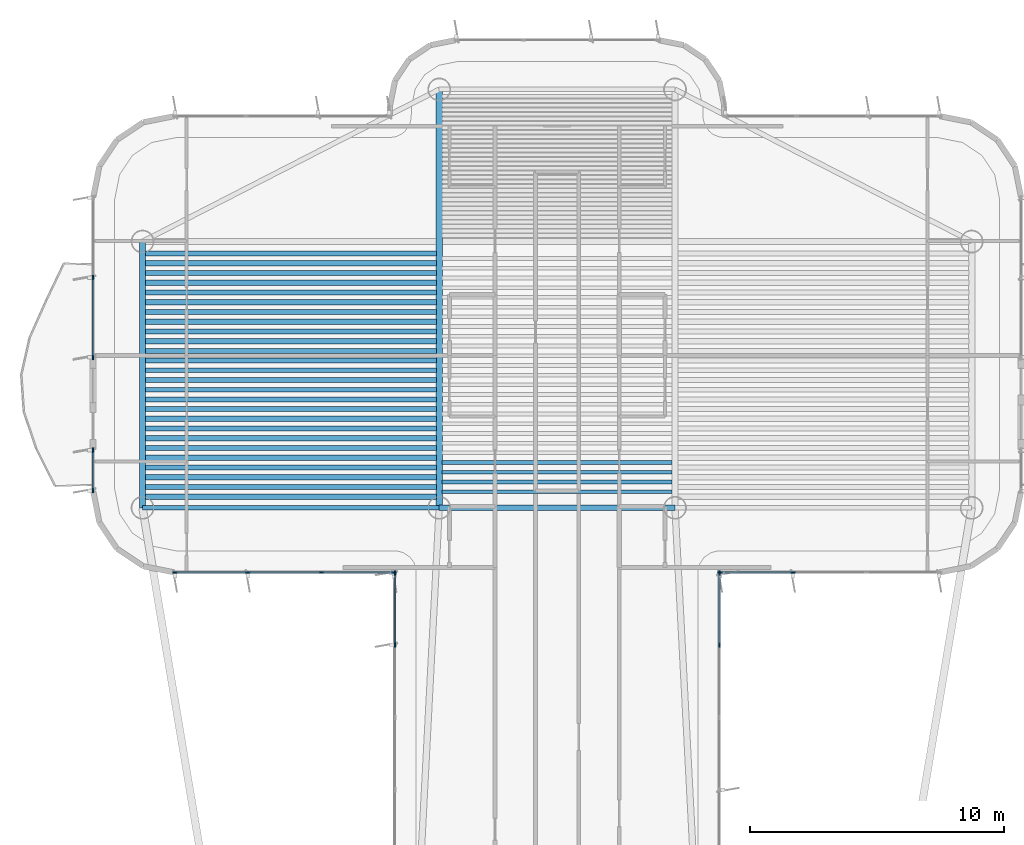
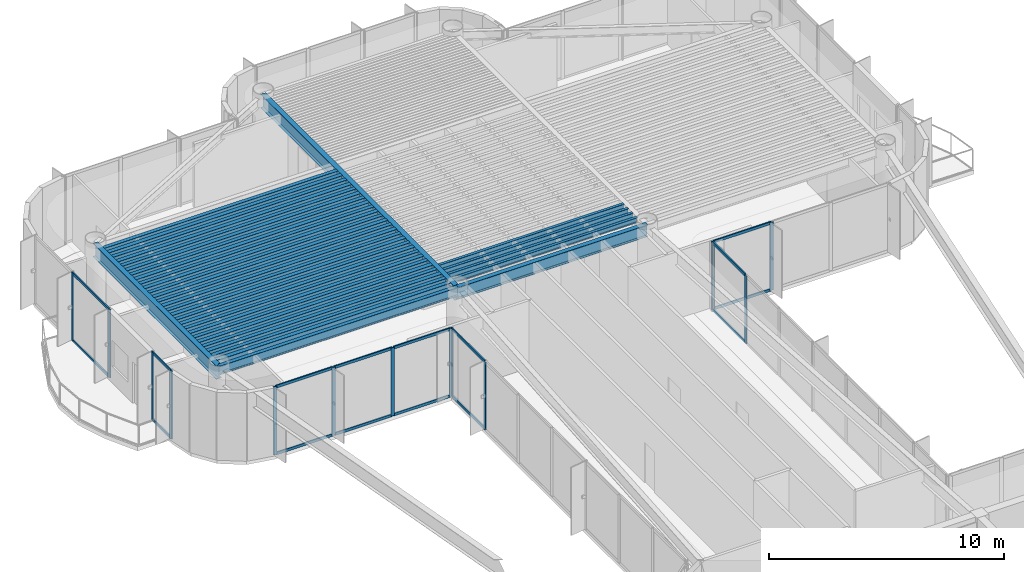
# One storey, part 5 of 16: 34 beams, 30 members, 6 elements without a shape of their own.
"""IFC4 building model written with IfcOpenShell, lengths in metres."""

from ifc_helpers import new_model, si_unit, direction, frame, origin, origin_2d, place, context, subcontext, project, spatial, rectangle, i_section, extrude, source, transform, mapped, material, layer, layer_set, material_profile, profile_set, type_object, element, aggregate, save


model = new_model("IFC4")

# Units and contexts
model_context = context("Model", 3, precision=1e-05, world=origin(), true_north=direction((0.0, 1.0)))
body_context = subcontext(model_context, "Body", "Model", "MODEL_VIEW")
ifc_project = project(units=[si_unit("LENGTHUNIT", "METRE"), si_unit("AREAUNIT", "SQUARE_METRE"), si_unit("VOLUMEUNIT", "CUBIC_METRE"), si_unit("PLANEANGLEUNIT", "RADIAN"), si_unit("MASSUNIT", "GRAM", prefix="KILO")], contexts=[model_context])

# Site, building, storey
site_placement = place(None, origin())
site = spatial("IfcSite", under=ifc_project, at=site_placement, CompositionType="ELEMENT")
building_placement = place(site_placement, origin())
building = spatial("IfcBuilding", under=site, at=building_placement, Name="Brelvock Crest Care Tower", CompositionType="ELEMENT")
storey_placement = place(building_placement, frame((0.0, 0.0, 226.800048828125)))
storey = spatial("IfcBuildingStorey", under=building, at=storey_placement, Name="L57", CompositionType="ELEMENT", Elevation=226.800048828125)

# Beams
ifc_material_1 = material(Name="Steel Grade 350", Category="steel")
ifc_material_profile_1 = material_profile(ifc_material_1, i_section(OverallWidth=0.25, OverallDepth=0.699951171875, WebThickness=0.011962890625, FlangeThickness=0.02001953125, at=origin_2d()), Name="700WB150")
ifc_profile_set_1 = profile_set([ifc_material_profile_1], Name="Steel Grade 350")
beam_type_1 = type_object("IfcBeamType", Name="BM-G4", PredefinedType="BEAM", material=ifc_profile_set_1)
shared_shape_1 = source(origin(), body_context, "Body", "SweptSolid", [
    extrude(i_section(OverallWidth=0.25, OverallDepth=0.699951171875, WebThickness=0.011962890625, FlangeThickness=0.02001953125, at=origin_2d()), origin(), (0.0, 0.0, 1.0), 10.5),
])
beam_1_placement = place(storey_placement, frame((19.64990234375, 43.949951171875, 3.179931640625), z_axis=(0.0, 1.0, 0.0), x_axis=(-1.0, 0.0, 0.0)))
element("IfcBeam", 1, at=beam_1_placement, inside=storey, type_object=beam_type_1, Name="BM-TWR-L57-01", PredefinedType="BEAM", context=body_context, shape_type="MappedRepresentation", body=[
    mapped(shared_shape_1, transform((0.0, 0.0, 0.0), x_axis=(1.0, 0.0, 0.0), y_axis=(0.0, 1.0, 0.0), z_axis=(0.0, 0.0, 1.0), scale=1.0)),
])
ifc_material_profile_2 = material_profile(ifc_material_1, i_section(OverallWidth=0.22900390625, OverallDepth=0.612060546875, WebThickness=0.011962890625, FlangeThickness=0.01953125, FilletRadius=0.013916015625, at=origin_2d()), Name="610UB125")
ifc_profile_set_2 = profile_set([ifc_material_profile_2], Name="Steel Grade 350")
beam_type_2 = type_object("IfcBeamType", Name="BM-G1", PredefinedType="BEAM", material=ifc_profile_set_2)
shared_shape_2 = source(origin(), body_context, "Body", "SweptSolid", [
    extrude(i_section(OverallWidth=0.22900390625, OverallDepth=0.612060546875, WebThickness=0.011962890625, FlangeThickness=0.01953125, FilletRadius=0.013916015625, at=origin_2d()), origin(), (0.0, 0.0, 1.0), 9.2998046875),
])
beam_2_placement = place(storey_placement, frame((31.35009765625, 43.949951171875, 3.223876953125), z_axis=(1.0, 0.0, 0.0), x_axis=(0.0, 1.0, 0.0)))
element("IfcBeam", 2, at=beam_2_placement, inside=storey, type_object=beam_type_2, Name="BM-TWR-L57-05", PredefinedType="BEAM", context=body_context, shape_type="MappedRepresentation", body=[
    mapped(shared_shape_2, transform((0.0, 0.0, 0.0), x_axis=(1.0, 0.0, 0.0), y_axis=(0.0, 1.0, 0.0), z_axis=(0.0, 0.0, 1.0), scale=1.0)),
])
ifc_material_profile_3 = material_profile(ifc_material_1, i_section(OverallWidth=0.14599609375, OverallDepth=0.256103515625, WebThickness=0.00634765625, FlangeThickness=0.010986328125, FilletRadius=0.0087890625, at=origin_2d()), Name="250UB37.3")
ifc_profile_set_3 = profile_set([ifc_material_profile_3], Name="Steel Grade 350")
beam_type_3 = type_object("IfcBeamType", Name="BM-J3", PredefinedType="JOIST", material=ifc_profile_set_3)
shared_shape_3 = source(origin(), body_context, "Body", "SweptSolid", [
    extrude(i_section(OverallWidth=0.14599609375, OverallDepth=0.256103515625, WebThickness=0.00634765625, FlangeThickness=0.010986328125, FilletRadius=0.0087890625, at=origin_2d()), origin(), (0.0, 0.0, 1.0), 9.06982421875),
])
for number, where, z_axis, x_axis, name in (
    (3, (31.465087890625, 44.58251953125, 3.40185546875), (1.0, 0.0, 0.0), (0.0, 1.0, 0.0), "BM-JH-L57-1"),
    (4, (31.465087890625, 44.9658203125, 3.40185546875), (1.0, 0.0, 0.0), (0.0, 1.0, 0.0), "BM-JH-L57-2"),
    (5, (31.465087890625, 45.34912109375, 3.40185546875), (1.0, 0.0, 0.0), (0.0, 1.0, 0.0), "BM-JH-L57-3"),
    (6, (31.465087890625, 45.732421875, 3.40185546875), (1.0, 0.0, 0.0), (0.0, 1.0, 0.0), "BM-JH-L57-4"),
):
    element("IfcBeam", number, at=place(storey_placement, frame(where, z_axis=z_axis, x_axis=x_axis)), inside=storey, type_object=beam_type_3, Name=name, PredefinedType="JOIST", context=body_context, shape_type="MappedRepresentation", body=[
        mapped(shared_shape_3, transform((0.0, 0.0, 0.0), x_axis=(1.0, 0.0, 0.0), y_axis=(0.0, 1.0, 0.0), z_axis=(0.0, 0.0, 1.0), scale=1.0)),
    ])
ifc_material_profile_4 = material_profile(ifc_material_1, i_section(OverallWidth=0.19091796875, OverallDepth=0.4599609375, WebThickness=0.010009765625, FlangeThickness=0.01611328125, FilletRadius=0.011474609375, at=origin_2d()), Name="460UB82.1")
ifc_profile_set_4 = profile_set([ifc_material_profile_4], Name="Steel Grade 350")
beam_type_4 = type_object("IfcBeamType", Name="BM-G3", PredefinedType="BEAM", material=ifc_profile_set_4)
shared_shape_4 = source(origin(), body_context, "Body", "SweptSolid", [
    extrude(i_section(OverallWidth=0.19091796875, OverallDepth=0.4599609375, WebThickness=0.010009765625, FlangeThickness=0.01611328125, FilletRadius=0.011474609375, at=origin_2d()), origin(), (0.0, 0.0, 1.0), 11.47021484375),
])
for number, where, z_axis, x_axis, name in (
    (7, (19.764892578125, 44.7744140625, 3.300048828125), (1.0, 0.0, 0.0), (0.0, 1.0, 0.0), "BM-JW-L57-2"),
    (8, (19.764892578125, 45.540771484375, 3.300048828125), (1.0, 0.0, 0.0), (0.0, 1.0, 0.0), "BM-JW-L57-4"),
    (9, (19.764892578125, 46.307373046875, 3.300048828125), (1.0, 0.0, 0.0), (0.0, 1.0, 0.0), "BM-JW-L57-6"),
    (10, (19.764892578125, 47.07373046875, 3.300048828125), (1.0, 0.0, 0.0), (0.0, 1.0, 0.0), "BM-JW-L57-8"),
    (11, (19.764892578125, 47.84033203125, 3.300048828125), (1.0, 0.0, 0.0), (0.0, 1.0, 0.0), "BM-JW-L57-10"),
    (12, (19.764892578125, 48.606689453125, 3.300048828125), (1.0, 0.0, 0.0), (0.0, 1.0, 0.0), "BM-JW-L57-12"),
    (13, (19.764892578125, 49.373291015625, 3.300048828125), (1.0, 0.0, 0.0), (0.0, 1.0, 0.0), "BM-JW-L57-14"),
    (14, (19.764892578125, 50.139892578125, 3.300048828125), (1.0, 0.0, 0.0), (0.0, 1.0, 0.0), "BM-JW-L57-16"),
    (15, (19.764892578125, 50.90625, 3.300048828125), (1.0, 0.0, 0.0), (0.0, 1.0, 0.0), "BM-JW-L57-18"),
    (16, (19.764892578125, 51.6728515625, 3.300048828125), (1.0, 0.0, 0.0), (0.0, 1.0, 0.0), "BM-JW-L57-20"),
    (17, (19.764892578125, 52.439208984375, 3.300048828125), (1.0, 0.0, 0.0), (0.0, 1.0, 0.0), "BM-JW-L57-22"),
    (18, (19.764892578125, 53.205810546875, 3.300048828125), (1.0, 0.0, 0.0), (0.0, 1.0, 0.0), "BM-JW-L57-24"),
    (19, (19.764892578125, 53.972412109375, 3.300048828125), (1.0, 0.0, 0.0), (0.0, 1.0, 0.0), "BM-JW-L57-26"),
):
    element("IfcBeam", number, at=place(storey_placement, frame(where, z_axis=z_axis, x_axis=x_axis)), inside=storey, type_object=beam_type_4, Name=name, PredefinedType="BEAM", context=body_context, shape_type="MappedRepresentation", body=[
        mapped(shared_shape_4, transform((0.0, 0.0, 0.0), x_axis=(1.0, 0.0, 0.0), y_axis=(0.0, 1.0, 0.0), z_axis=(0.0, 0.0, 1.0), scale=1.0)),
    ])
ifc_material_profile_5 = material_profile(ifc_material_1, i_section(OverallWidth=0.208984375, OverallDepth=0.532958984375, WebThickness=0.01025390625, FlangeThickness=0.015625, FilletRadius=0.013916015625, at=origin_2d()), Name="530UB92.4")
ifc_profile_set_5 = profile_set([ifc_material_profile_5], Name="Steel Grade 350")
beam_type_5 = type_object("IfcBeamType", Name="BM-G2", PredefinedType="BEAM", material=ifc_profile_set_5)
shared_shape_5 = source(origin(), body_context, "Body", "SweptSolid", [
    extrude(i_section(OverallWidth=0.208984375, OverallDepth=0.532958984375, WebThickness=0.01025390625, FlangeThickness=0.015625, FilletRadius=0.013916015625, at=origin_2d()), origin(), (0.0, 0.0, 1.0), 11.47021484375),
])
for number, where, z_axis, x_axis, name in (
    (20, (19.764892578125, 44.39111328125, 3.263427734375), (1.0, 0.0, 0.0), (0.0, 1.0, 0.0), "BM-JW-L57-1"),
    (21, (19.764892578125, 45.157470703125, 3.263427734375), (1.0, 0.0, 0.0), (0.0, 1.0, 0.0), "BM-JW-L57-3"),
    (22, (19.764892578125, 45.924072265625, 3.263427734375), (1.0, 0.0, 0.0), (0.0, 1.0, 0.0), "BM-JW-L57-5"),
    (23, (19.764892578125, 46.6904296875, 3.263427734375), (1.0, 0.0, 0.0), (0.0, 1.0, 0.0), "BM-JW-L57-7"),
    (24, (19.764892578125, 47.45703125, 3.263427734375), (1.0, 0.0, 0.0), (0.0, 1.0, 0.0), "BM-JW-L57-9"),
    (25, (19.764892578125, 48.223388671875, 3.263427734375), (1.0, 0.0, 0.0), (0.0, 1.0, 0.0), "BM-JW-L57-11"),
    (26, (19.764892578125, 48.989990234375, 3.263427734375), (1.0, 0.0, 0.0), (0.0, 1.0, 0.0), "BM-JW-L57-13"),
    (27, (19.764892578125, 49.756591796875, 3.263427734375), (1.0, 0.0, 0.0), (0.0, 1.0, 0.0), "BM-JW-L57-15"),
    (28, (19.764892578125, 50.52294921875, 3.263427734375), (1.0, 0.0, 0.0), (0.0, 1.0, 0.0), "BM-JW-L57-17"),
    (29, (19.764892578125, 51.28955078125, 3.263427734375), (1.0, 0.0, 0.0), (0.0, 1.0, 0.0), "BM-JW-L57-19"),
    (30, (19.764892578125, 52.055908203125, 3.263427734375), (1.0, 0.0, 0.0), (0.0, 1.0, 0.0), "BM-JW-L57-21"),
    (31, (19.764892578125, 52.822509765625, 3.263427734375), (1.0, 0.0, 0.0), (0.0, 1.0, 0.0), "BM-JW-L57-23"),
    (32, (19.764892578125, 53.589111328125, 3.263427734375), (1.0, 0.0, 0.0), (0.0, 1.0, 0.0), "BM-JW-L57-25"),
):
    element("IfcBeam", number, at=place(storey_placement, frame(where, z_axis=z_axis, x_axis=x_axis)), inside=storey, type_object=beam_type_5, Name=name, PredefinedType="BEAM", context=body_context, shape_type="MappedRepresentation", body=[
        mapped(shared_shape_5, transform((0.0, 0.0, 0.0), x_axis=(1.0, 0.0, 0.0), y_axis=(0.0, 1.0, 0.0), z_axis=(0.0, 0.0, 1.0), scale=1.0)),
    ])
ifc_material_profile_6 = material_profile(ifc_material_1, i_section(OverallWidth=0.19091796875, OverallDepth=0.4599609375, WebThickness=0.010009765625, FlangeThickness=0.01611328125, FilletRadius=0.011474609375, at=origin_2d()), Name="460UB82.1")
ifc_profile_set_6 = profile_set([ifc_material_profile_6], Name="Steel Grade 350")
beam_type_6 = type_object("IfcBeamType", Name="BM-SP2", PredefinedType="SPANDREL", material=ifc_profile_set_6)
shared_shape_6 = source(origin(), body_context, "Body", "SweptSolid", [
    extrude(i_section(OverallWidth=0.19091796875, OverallDepth=0.4599609375, WebThickness=0.010009765625, FlangeThickness=0.01611328125, FilletRadius=0.011474609375, at=origin_2d()), origin(), (0.0, 0.0, 1.0), 11.7001953125),
])
beam_3_placement = place(storey_placement, frame((19.64990234375, 43.949951171875, 3.300048828125), z_axis=(1.0, 0.0, 0.0), x_axis=(0.0, 1.0, 0.0)))
element("IfcBeam", 33, at=beam_3_placement, inside=storey, type_object=beam_type_6, Name="BM-TWR-L57-03", PredefinedType="SPANDREL", context=body_context, shape_type="MappedRepresentation", body=[
    mapped(shared_shape_6, transform((0.0, 0.0, 0.0), x_axis=(1.0, 0.0, 0.0), y_axis=(0.0, 1.0, 0.0), z_axis=(0.0, 0.0, 1.0), scale=1.0)),
])
shared_shape_7 = source(origin(), body_context, "Body", "SweptSolid", [
    extrude(i_section(OverallWidth=0.25, OverallDepth=0.699951171875, WebThickness=0.011962890625, FlangeThickness=0.02001953125, at=origin_2d()), origin(), (0.0, 0.0, 1.0), 16.5),
])
beam_4_placement = place(storey_placement, frame((31.35009765625, 43.949951171875, 3.179931640625), z_axis=(0.0, 1.0, 0.0), x_axis=(-1.0, 0.0, 0.0)))
element("IfcBeam", 34, at=beam_4_placement, inside=storey, type_object=beam_type_1, Name="BM-TWR-L57-09", PredefinedType="BEAM", context=body_context, shape_type="MappedRepresentation", body=[
    mapped(shared_shape_7, transform((0.0, 0.0, 0.0), x_axis=(1.0, 0.0, 0.0), y_axis=(0.0, 1.0, 0.0), z_axis=(0.0, 0.0, 1.0), scale=1.0)),
])

# Curtain wall, members
ifc_material_2 = material(Name="Dark Glass Double Glazed Low-E", Category="glass")
ifc_layer = layer(ifc_material_2, 0.239990234375, Name="CWS-5")
ifc_layer_set = layer_set([ifc_layer], Name="Dark Glass Double Glazed Low-E")
curtain_wall_type = type_object("IfcCurtainWallType", Name="CWS-5", PredefinedType="NOTDEFINED", material=ifc_layer_set)
curtain_wall_1_placement = place(storey_placement, origin())
curtain_wall_1 = element("IfcCurtainWall", 35, at=curtain_wall_1_placement, inside=storey, type_object=curtain_wall_type, Name="L57 Curtain Wall E11", PredefinedType="NOTDEFINED")
ifc_material_3 = material(Name="Aluminium 6063-T6", Category="aluminium")
ifc_material_profile_7 = material_profile(ifc_material_3, rectangle(XDim=0.06005859375, YDim=0.179931640625, at=origin_2d()), Name="ALU60x180")
ifc_profile_set_7 = profile_set([ifc_material_profile_7], Name="Aluminium 6063-T6")
member_type_1 = type_object("IfcMemberType", Name="CWM-2", PredefinedType="MULLION", material=ifc_profile_set_7)
shared_shape_8 = source(origin(), body_context, "Body", "SweptSolid", [
    extrude(rectangle(XDim=0.06005859375, YDim=0.179931640625, at=origin_2d()), origin(), (0.0, 0.0, 1.0), 3.530029296875),
])
member_1_placement = place(storey_placement, frame((29.60009765625, 38.54296875, 0.0), z_axis=(0.0, 0.0, 1.0), x_axis=(-1.0, 0.0, 0.0)))
member_1 = element("IfcMember", 36, at=member_1_placement, type_object=member_type_1, Name="CW-5 mullion 7", PredefinedType="MULLION", context=body_context, shape_type="MappedRepresentation", body=[
    mapped(shared_shape_8, transform((0.0, 0.0, 0.0), x_axis=(1.0, 0.0, 0.0), y_axis=(0.0, 1.0, 0.0), z_axis=(0.0, 0.0, 1.0), scale=1.0)),
])
member_2_placement = place(storey_placement, frame((29.60009765625, 41.3701171875, 0.0), z_axis=(0.0, 0.0, 1.0), x_axis=(-1.0, 0.0, 0.0)))
member_2 = element("IfcMember", 37, at=member_2_placement, type_object=member_type_1, Name="CW-5 mullion 8", PredefinedType="MULLION", context=body_context, shape_type="MappedRepresentation", body=[
    mapped(shared_shape_8, transform((0.0, 0.0, 0.0), x_axis=(1.0, 0.0, 0.0), y_axis=(0.0, 1.0, 0.0), z_axis=(0.0, 0.0, 1.0), scale=1.0)),
])

curtain_wall_2_placement = place(storey_placement, origin())
curtain_wall_2 = element("IfcCurtainWall", 38, at=curtain_wall_2_placement, inside=storey, type_object=curtain_wall_type, Name="L57 Curtain Wall E12", PredefinedType="NOTDEFINED")
member_3_placement = place(storey_placement, frame((29.570068359375, 41.39990234375, 0.0), z_axis=(0.0, 0.0, 1.0), x_axis=(0.0, -1.0, 0.0)))
member_3 = element("IfcMember", 39, at=member_3_placement, type_object=member_type_1, Name="CW-5 mullion 1", PredefinedType="MULLION", context=body_context, shape_type="MappedRepresentation", body=[
    mapped(shared_shape_8, transform((0.0, 0.0, 0.0), x_axis=(1.0, 0.0, 0.0), y_axis=(0.0, 1.0, 0.0), z_axis=(0.0, 0.0, 1.0), scale=1.0)),
])
member_4_placement = place(storey_placement, frame((26.699951171875, 41.39990234375, 0.0), z_axis=(0.0, 0.0, 1.0), x_axis=(0.0, -1.0, 0.0)))
member_4 = element("IfcMember", 40, at=member_4_placement, type_object=member_type_1, Name="CW-5 mullion 2", PredefinedType="MULLION", context=body_context, shape_type="MappedRepresentation", body=[
    mapped(shared_shape_8, transform((0.0, 0.0, 0.0), x_axis=(1.0, 0.0, 0.0), y_axis=(0.0, 1.0, 0.0), z_axis=(0.0, 0.0, 1.0), scale=1.0)),
])
member_5_placement = place(storey_placement, frame((23.800048828125, 41.39990234375, 0.0), z_axis=(0.0, 0.0, 1.0), x_axis=(0.0, -1.0, 0.0)))
member_5 = element("IfcMember", 41, at=member_5_placement, type_object=member_type_1, Name="CW-5 mullion 3", PredefinedType="MULLION", context=body_context, shape_type="MappedRepresentation", body=[
    mapped(shared_shape_8, transform((0.0, 0.0, 0.0), x_axis=(1.0, 0.0, 0.0), y_axis=(0.0, 1.0, 0.0), z_axis=(0.0, 0.0, 1.0), scale=1.0)),
])
member_6_placement = place(storey_placement, frame((20.929931640625, 41.39990234375, 0.0), z_axis=(0.0, 0.0, 1.0), x_axis=(0.0, -1.0, 0.0)))
member_6 = element("IfcMember", 42, at=member_6_placement, type_object=member_type_1, Name="CW-5 mullion 4", PredefinedType="MULLION", context=body_context, shape_type="MappedRepresentation", body=[
    mapped(shared_shape_8, transform((0.0, 0.0, 0.0), x_axis=(1.0, 0.0, 0.0), y_axis=(0.0, 1.0, 0.0), z_axis=(0.0, 0.0, 1.0), scale=1.0)),
])

curtain_wall_3_placement = place(storey_placement, origin())
curtain_wall_3 = element("IfcCurtainWall", 43, at=curtain_wall_3_placement, inside=storey, type_object=curtain_wall_type, Name="L57 Curtain Wall E17A", PredefinedType="NOTDEFINED")
member_7_placement = place(storey_placement, frame((17.699951171875, 44.6298828125, 0.0), z_axis=(0.0, 0.0, 1.0), x_axis=(-1.0, 0.0, 0.0)))
member_7 = element("IfcMember", 44, at=member_7_placement, type_object=member_type_1, Name="CW-5 mullion 1", PredefinedType="MULLION", context=body_context, shape_type="MappedRepresentation", body=[
    mapped(shared_shape_8, transform((0.0, 0.0, 0.0), x_axis=(1.0, 0.0, 0.0), y_axis=(0.0, 1.0, 0.0), z_axis=(0.0, 0.0, 1.0), scale=1.0)),
])
member_8_placement = place(storey_placement, frame((17.699951171875, 46.219970703125, 0.0), z_axis=(0.0, 0.0, 1.0), x_axis=(-1.0, 0.0, 0.0)))
member_8 = element("IfcMember", 45, at=member_8_placement, type_object=member_type_1, Name="CW-5 mullion 2", PredefinedType="MULLION", context=body_context, shape_type="MappedRepresentation", body=[
    mapped(shared_shape_8, transform((0.0, 0.0, 0.0), x_axis=(1.0, 0.0, 0.0), y_axis=(0.0, 1.0, 0.0), z_axis=(0.0, 0.0, 1.0), scale=1.0)),
])

curtain_wall_4_placement = place(storey_placement, origin())
curtain_wall_4 = element("IfcCurtainWall", 46, at=curtain_wall_4_placement, inside=storey, type_object=curtain_wall_type, Name="L57 Curtain Wall E17B", PredefinedType="NOTDEFINED")
member_9_placement = place(storey_placement, frame((17.699951171875, 49.8798828125, 0.0), z_axis=(0.0, 0.0, 1.0), x_axis=(-1.0, 0.0, 0.0)))
member_9 = element("IfcMember", 47, at=member_9_placement, type_object=member_type_1, Name="CW-5 mullion 1", PredefinedType="MULLION", context=body_context, shape_type="MappedRepresentation", body=[
    mapped(shared_shape_8, transform((0.0, 0.0, 0.0), x_axis=(1.0, 0.0, 0.0), y_axis=(0.0, 1.0, 0.0), z_axis=(0.0, 0.0, 1.0), scale=1.0)),
])
member_10_placement = place(storey_placement, frame((17.699951171875, 53.02490234375, 0.0), z_axis=(0.0, 0.0, 1.0), x_axis=(-1.0, 0.0, 0.0)))
member_10 = element("IfcMember", 48, at=member_10_placement, type_object=member_type_1, Name="CW-5 mullion 2", PredefinedType="MULLION", context=body_context, shape_type="MappedRepresentation", body=[
    mapped(shared_shape_8, transform((0.0, 0.0, 0.0), x_axis=(1.0, 0.0, 0.0), y_axis=(0.0, 1.0, 0.0), z_axis=(0.0, 0.0, 1.0), scale=1.0)),
])

curtain_wall_5_placement = place(storey_placement, origin())
curtain_wall_5 = element("IfcCurtainWall", 49, at=curtain_wall_5_placement, inside=storey, type_object=curtain_wall_type, Name="L57 Curtain Wall E44", PredefinedType="NOTDEFINED")
member_11_placement = place(storey_placement, frame((45.300048828125, 41.39990234375, 0.0), z_axis=(0.0, 0.0, 1.0), x_axis=(0.0, -1.0, 0.0)))
member_11 = element("IfcMember", 50, at=member_11_placement, type_object=member_type_1, Name="CW-5 mullion 3", PredefinedType="MULLION", context=body_context, shape_type="MappedRepresentation", body=[
    mapped(shared_shape_8, transform((0.0, 0.0, 0.0), x_axis=(1.0, 0.0, 0.0), y_axis=(0.0, 1.0, 0.0), z_axis=(0.0, 0.0, 1.0), scale=1.0)),
])
member_12_placement = place(storey_placement, frame((42.429931640625, 41.39990234375, 0.0), z_axis=(0.0, 0.0, 1.0), x_axis=(0.0, -1.0, 0.0)))
member_12 = element("IfcMember", 51, at=member_12_placement, type_object=member_type_1, Name="CW-5 mullion 4", PredefinedType="MULLION", context=body_context, shape_type="MappedRepresentation", body=[
    mapped(shared_shape_8, transform((0.0, 0.0, 0.0), x_axis=(1.0, 0.0, 0.0), y_axis=(0.0, 1.0, 0.0), z_axis=(0.0, 0.0, 1.0), scale=1.0)),
])

curtain_wall_6_placement = place(storey_placement, origin())
curtain_wall_6 = element("IfcCurtainWall", 52, at=curtain_wall_6_placement, inside=storey, type_object=curtain_wall_type, Name="L57 Curtain Wall E45", PredefinedType="NOTDEFINED")
member_13_placement = place(storey_placement, frame((42.39990234375, 41.3701171875, 0.0), z_axis=(0.0, 0.0, 1.0), x_axis=(1.0, 0.0, 0.0)))
member_13 = element("IfcMember", 53, at=member_13_placement, type_object=member_type_1, Name="CW-5 mullion 1", PredefinedType="MULLION", context=body_context, shape_type="MappedRepresentation", body=[
    mapped(shared_shape_8, transform((0.0, 0.0, 0.0), x_axis=(1.0, 0.0, 0.0), y_axis=(0.0, 1.0, 0.0), z_axis=(0.0, 0.0, 1.0), scale=1.0)),
])
member_14_placement = place(storey_placement, frame((42.39990234375, 38.54296875, 0.0), z_axis=(0.0, 0.0, 1.0), x_axis=(1.0, 0.0, 0.0)))
member_14 = element("IfcMember", 54, at=member_14_placement, type_object=member_type_1, Name="CW-5 mullion 2", PredefinedType="MULLION", context=body_context, shape_type="MappedRepresentation", body=[
    mapped(shared_shape_8, transform((0.0, 0.0, 0.0), x_axis=(1.0, 0.0, 0.0), y_axis=(0.0, 1.0, 0.0), z_axis=(0.0, 0.0, 1.0), scale=1.0)),
])

# Member
ifc_material_profile_8 = material_profile(ifc_material_3, rectangle(XDim=0.06005859375, YDim=0.139892578125, at=origin_2d()), Name="ALU60x140")
ifc_profile_set_8 = profile_set([ifc_material_profile_8], Name="Aluminium 6063-T6")
member_type_2 = type_object("IfcMemberType", Name="CWT-2", PredefinedType="USERDEFINED", material=ifc_profile_set_8)
shared_shape_9 = source(origin(), body_context, "Body", "SweptSolid", [
    extrude(rectangle(XDim=0.06005859375, YDim=0.139892578125, at=origin_2d()), origin(), (0.0, 0.0, 1.0), 1.530029296875),
])
member_15_placement = place(storey_placement, frame((17.699951171875, 44.659912109375, 0.030029296875), z_axis=(0.0, 1.0, 0.0), x_axis=(-1.0, 0.0, 0.0)))
member_15 = element("IfcMember", 55, at=member_15_placement, type_object=member_type_2, Name="CW-5 transom 1.1", ObjectType="TRANSOM", PredefinedType="USERDEFINED", context=body_context, shape_type="MappedRepresentation", body=[
    mapped(shared_shape_9, transform((0.0, 0.0, 0.0), x_axis=(1.0, 0.0, 0.0), y_axis=(0.0, 1.0, 0.0), z_axis=(0.0, 0.0, 1.0), scale=1.0)),
])

member_16_placement = place(storey_placement, frame((17.699951171875, 44.659912109375, 3.5), z_axis=(0.0, 1.0, 0.0), x_axis=(-1.0, 0.0, 0.0)))
member_16 = element("IfcMember", 56, at=member_16_placement, type_object=member_type_2, Name="CW-5 transom 1.2", ObjectType="TRANSOM", PredefinedType="USERDEFINED", context=body_context, shape_type="MappedRepresentation", body=[
    mapped(shared_shape_9, transform((0.0, 0.0, 0.0), x_axis=(1.0, 0.0, 0.0), y_axis=(0.0, 1.0, 0.0), z_axis=(0.0, 0.0, 1.0), scale=1.0)),
])

aggregate(curtain_wall_3, [member_7, member_8, member_15, member_16])

shared_shape_10 = source(origin(), body_context, "Body", "SweptSolid", [
    extrude(rectangle(XDim=0.06005859375, YDim=0.139892578125, at=origin_2d()), origin(), (0.0, 0.0, 1.0), 2.767333984375),
])
member_17_placement = place(storey_placement, frame((29.60009765625, 38.57275390625, 0.030029296875), z_axis=(0.0, 1.0, 0.0), x_axis=(-1.0, 0.0, 0.0)))
member_17 = element("IfcMember", 57, at=member_17_placement, type_object=member_type_2, Name="CW-5 transom 7.1", ObjectType="TRANSOM", PredefinedType="USERDEFINED", context=body_context, shape_type="MappedRepresentation", body=[
    mapped(shared_shape_10, transform((0.0, 0.0, 0.0), x_axis=(1.0, 0.0, 0.0), y_axis=(0.0, 1.0, 0.0), z_axis=(0.0, 0.0, 1.0), scale=1.0)),
])

member_18_placement = place(storey_placement, frame((29.60009765625, 38.57275390625, 3.5), z_axis=(0.0, 1.0, 0.0), x_axis=(-1.0, 0.0, 0.0)))
member_18 = element("IfcMember", 58, at=member_18_placement, type_object=member_type_2, Name="CW-5 transom 7.2", ObjectType="TRANSOM", PredefinedType="USERDEFINED", context=body_context, shape_type="MappedRepresentation", body=[
    mapped(shared_shape_10, transform((0.0, 0.0, 0.0), x_axis=(1.0, 0.0, 0.0), y_axis=(0.0, 1.0, 0.0), z_axis=(0.0, 0.0, 1.0), scale=1.0)),
])

aggregate(curtain_wall_1, [member_1, member_2, member_17, member_18])

member_19_placement = place(storey_placement, frame((42.39990234375, 41.340087890625, 0.030029296875), z_axis=(0.0, -1.0, 0.0), x_axis=(1.0, 0.0, 0.0)))
member_19 = element("IfcMember", 59, at=member_19_placement, type_object=member_type_2, Name="CW-5 transom 1.1", ObjectType="TRANSOM", PredefinedType="USERDEFINED", context=body_context, shape_type="MappedRepresentation", body=[
    mapped(shared_shape_10, transform((0.0, 0.0, 0.0), x_axis=(1.0, 0.0, 0.0), y_axis=(0.0, 1.0, 0.0), z_axis=(0.0, 0.0, 1.0), scale=1.0)),
])

member_20_placement = place(storey_placement, frame((42.39990234375, 41.340087890625, 3.5), z_axis=(0.0, -1.0, 0.0), x_axis=(1.0, 0.0, 0.0)))
member_20 = element("IfcMember", 60, at=member_20_placement, type_object=member_type_2, Name="CW-5 transom 1.2", ObjectType="TRANSOM", PredefinedType="USERDEFINED", context=body_context, shape_type="MappedRepresentation", body=[
    mapped(shared_shape_10, transform((0.0, 0.0, 0.0), x_axis=(1.0, 0.0, 0.0), y_axis=(0.0, 1.0, 0.0), z_axis=(0.0, 0.0, 1.0), scale=1.0)),
])

aggregate(curtain_wall_6, [member_13, member_14, member_19, member_20])

shared_shape_11 = source(origin(), body_context, "Body", "SweptSolid", [
    extrude(rectangle(XDim=0.06005859375, YDim=0.139892578125, at=origin_2d()), origin(), (0.0, 0.0, 1.0), 2.81005859375),
])
member_21_placement = place(storey_placement, frame((29.5400390625, 41.39990234375, 0.030029296875), z_axis=(-1.0, 0.0, 0.0), x_axis=(0.0, -1.0, 0.0)))
member_21 = element("IfcMember", 61, at=member_21_placement, type_object=member_type_2, Name="CW-5 transom 1.1", ObjectType="TRANSOM", PredefinedType="USERDEFINED", context=body_context, shape_type="MappedRepresentation", body=[
    mapped(shared_shape_11, transform((0.0, 0.0, 0.0), x_axis=(1.0, 0.0, 0.0), y_axis=(0.0, 1.0, 0.0), z_axis=(0.0, 0.0, 1.0), scale=1.0)),
])

member_22_placement = place(storey_placement, frame((29.5400390625, 41.39990234375, 3.5), z_axis=(-1.0, 0.0, 0.0), x_axis=(0.0, -1.0, 0.0)))
member_22 = element("IfcMember", 62, at=member_22_placement, type_object=member_type_2, Name="CW-5 transom 1.2", ObjectType="TRANSOM", PredefinedType="USERDEFINED", context=body_context, shape_type="MappedRepresentation", body=[
    mapped(shared_shape_11, transform((0.0, 0.0, 0.0), x_axis=(1.0, 0.0, 0.0), y_axis=(0.0, 1.0, 0.0), z_axis=(0.0, 0.0, 1.0), scale=1.0)),
])

member_23_placement = place(storey_placement, frame((23.77001953125, 41.39990234375, 0.030029296875), z_axis=(-1.0, 0.0, 0.0), x_axis=(0.0, -1.0, 0.0)))
member_23 = element("IfcMember", 63, at=member_23_placement, type_object=member_type_2, Name="CW-5 transom 3.1", ObjectType="TRANSOM", PredefinedType="USERDEFINED", context=body_context, shape_type="MappedRepresentation", body=[
    mapped(shared_shape_11, transform((0.0, 0.0, 0.0), x_axis=(1.0, 0.0, 0.0), y_axis=(0.0, 1.0, 0.0), z_axis=(0.0, 0.0, 1.0), scale=1.0)),
])

member_24_placement = place(storey_placement, frame((23.77001953125, 41.39990234375, 3.5), z_axis=(-1.0, 0.0, 0.0), x_axis=(0.0, -1.0, 0.0)))
member_24 = element("IfcMember", 64, at=member_24_placement, type_object=member_type_2, Name="CW-5 transom 3.2", ObjectType="TRANSOM", PredefinedType="USERDEFINED", context=body_context, shape_type="MappedRepresentation", body=[
    mapped(shared_shape_11, transform((0.0, 0.0, 0.0), x_axis=(1.0, 0.0, 0.0), y_axis=(0.0, 1.0, 0.0), z_axis=(0.0, 0.0, 1.0), scale=1.0)),
])

member_25_placement = place(storey_placement, frame((45.27001953125, 41.39990234375, 0.030029296875), z_axis=(-1.0, 0.0, 0.0), x_axis=(0.0, -1.0, 0.0)))
member_25 = element("IfcMember", 65, at=member_25_placement, type_object=member_type_2, Name="CW-5 transom 3.1", ObjectType="TRANSOM", PredefinedType="USERDEFINED", context=body_context, shape_type="MappedRepresentation", body=[
    mapped(shared_shape_11, transform((0.0, 0.0, 0.0), x_axis=(1.0, 0.0, 0.0), y_axis=(0.0, 1.0, 0.0), z_axis=(0.0, 0.0, 1.0), scale=1.0)),
])

member_26_placement = place(storey_placement, frame((45.27001953125, 41.39990234375, 3.5), z_axis=(-1.0, 0.0, 0.0), x_axis=(0.0, -1.0, 0.0)))
member_26 = element("IfcMember", 66, at=member_26_placement, type_object=member_type_2, Name="CW-5 transom 3.2", ObjectType="TRANSOM", PredefinedType="USERDEFINED", context=body_context, shape_type="MappedRepresentation", body=[
    mapped(shared_shape_11, transform((0.0, 0.0, 0.0), x_axis=(1.0, 0.0, 0.0), y_axis=(0.0, 1.0, 0.0), z_axis=(0.0, 0.0, 1.0), scale=1.0)),
])

aggregate(curtain_wall_5, [member_11, member_12, member_25, member_26])

shared_shape_12 = source(origin(), body_context, "Body", "SweptSolid", [
    extrude(rectangle(XDim=0.06005859375, YDim=0.139892578125, at=origin_2d()), origin(), (0.0, 0.0, 1.0), 2.83984375),
])
member_27_placement = place(storey_placement, frame((26.669921875, 41.39990234375, 0.030029296875), z_axis=(-1.0, 0.0, 0.0), x_axis=(0.0, -1.0, 0.0)))
member_27 = element("IfcMember", 67, at=member_27_placement, type_object=member_type_2, Name="CW-5 transom 2.1", ObjectType="TRANSOM", PredefinedType="USERDEFINED", context=body_context, shape_type="MappedRepresentation", body=[
    mapped(shared_shape_12, transform((0.0, 0.0, 0.0), x_axis=(1.0, 0.0, 0.0), y_axis=(0.0, 1.0, 0.0), z_axis=(0.0, 0.0, 1.0), scale=1.0)),
])

member_28_placement = place(storey_placement, frame((26.669921875, 41.39990234375, 3.5), z_axis=(-1.0, 0.0, 0.0), x_axis=(0.0, -1.0, 0.0)))
member_28 = element("IfcMember", 68, at=member_28_placement, type_object=member_type_2, Name="CW-5 transom 2.2", ObjectType="TRANSOM", PredefinedType="USERDEFINED", context=body_context, shape_type="MappedRepresentation", body=[
    mapped(shared_shape_12, transform((0.0, 0.0, 0.0), x_axis=(1.0, 0.0, 0.0), y_axis=(0.0, 1.0, 0.0), z_axis=(0.0, 0.0, 1.0), scale=1.0)),
])

aggregate(curtain_wall_2, [member_3, member_4, member_5, member_6, member_21, member_22, member_27, member_28, member_23, member_24])

shared_shape_13 = source(origin(), body_context, "Body", "SweptSolid", [
    extrude(rectangle(XDim=0.06005859375, YDim=0.139892578125, at=origin_2d()), origin(), (0.0, 0.0, 1.0), 3.085205078125),
])
member_29_placement = place(storey_placement, frame((17.699951171875, 49.909912109375, 0.030029296875), z_axis=(0.0, 1.0, 0.0), x_axis=(-1.0, 0.0, 0.0)))
member_29 = element("IfcMember", 69, at=member_29_placement, type_object=member_type_2, Name="CW-5 transom 1.1", ObjectType="TRANSOM", PredefinedType="USERDEFINED", context=body_context, shape_type="MappedRepresentation", body=[
    mapped(shared_shape_13, transform((0.0, 0.0, 0.0), x_axis=(1.0, 0.0, 0.0), y_axis=(0.0, 1.0, 0.0), z_axis=(0.0, 0.0, 1.0), scale=1.0)),
])

member_30_placement = place(storey_placement, frame((17.699951171875, 49.909912109375, 3.5), z_axis=(0.0, 1.0, 0.0), x_axis=(-1.0, 0.0, 0.0)))
member_30 = element("IfcMember", 70, at=member_30_placement, type_object=member_type_2, Name="CW-5 transom 1.2", ObjectType="TRANSOM", PredefinedType="USERDEFINED", context=body_context, shape_type="MappedRepresentation", body=[
    mapped(shared_shape_13, transform((0.0, 0.0, 0.0), x_axis=(1.0, 0.0, 0.0), y_axis=(0.0, 1.0, 0.0), z_axis=(0.0, 0.0, 1.0), scale=1.0)),
])

aggregate(curtain_wall_4, [member_9, member_10, member_29, member_30])

save(model, "model.ifc")
